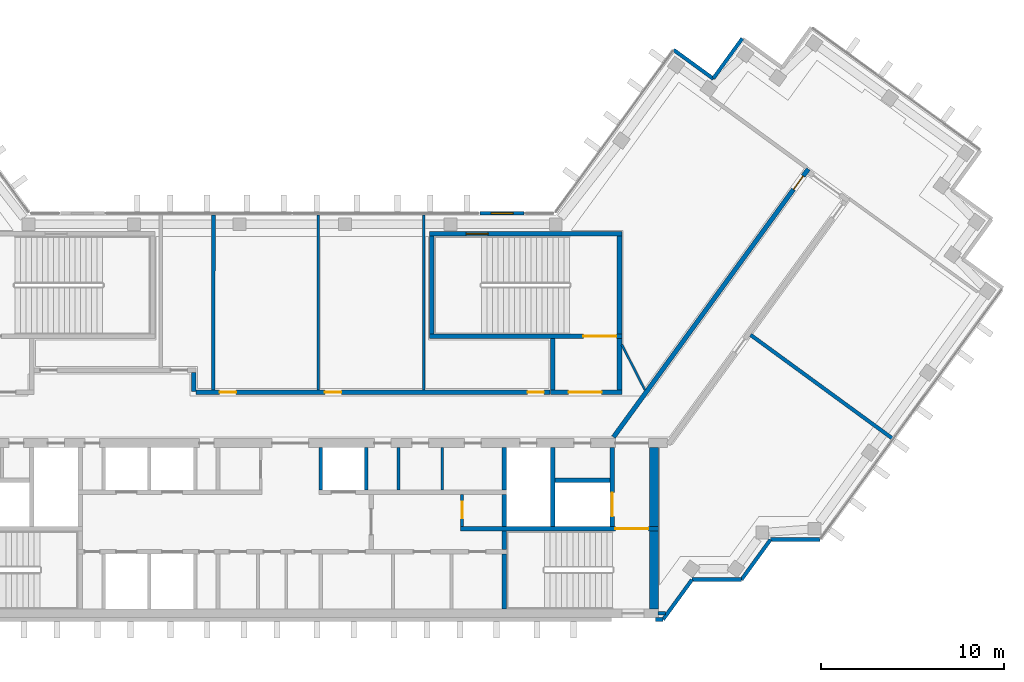
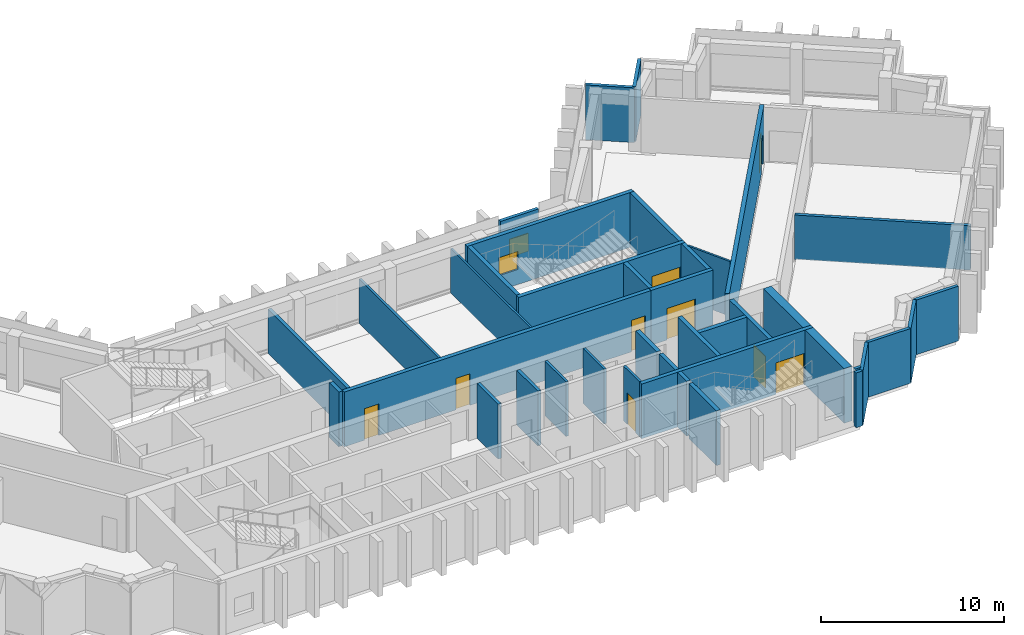
# One storey, part 6 of 9: 39 walls, 9 doors, 2 windows, 11 openings.
"""IFC4 building model written with IfcOpenShell, lengths in metres."""

from ifc_helpers import new_model, si_unit, direction, frame, frame_2d, origin, place, context, subcontext, project, spatial, rectangle, extrude, material, layer, layer_set, type_object, element, fill, save


model = new_model("IFC4")

# Units and contexts
model_context = context("Model", 3, precision=1e-05, world=origin(), true_north=direction((0.0, 1.0)))
body_context = subcontext(model_context, "Body", "Model", "MODEL_VIEW")
ifc_project = project(units=[si_unit("LENGTHUNIT", "METRE"), si_unit("AREAUNIT", "SQUARE_METRE"), si_unit("VOLUMEUNIT", "CUBIC_METRE"), si_unit("PLANEANGLEUNIT", "RADIAN"), si_unit("MASSUNIT", "GRAM", prefix="KILO")], contexts=[model_context])

# Site, building, storey
site_placement = place(None, origin())
site = spatial("IfcSite", under=ifc_project, at=site_placement, CompositionType="ELEMENT")
building_placement = place(site_placement, origin())
building = spatial("IfcBuilding", under=site, at=building_placement, Name="Quipu Civic Tower", CompositionType="ELEMENT")
storey_placement = place(building_placement, frame((0.0, 0.0, 331.0)))
storey = spatial("IfcBuildingStorey", under=building, at=storey_placement, Name="L77", CompositionType="ELEMENT", Elevation=331.0)

# Walls
ifc_material_1 = material(Name="Double gypsum plasterboard with mineral wool")
ifc_layer_1 = layer(ifc_material_1, 0.14990234375)
ifc_layer_set_1 = layer_set([ifc_layer_1], Name="Double gypsum plasterboard with mineral wool")
wall_type_1 = type_object("IfcWallType", Name="Acoustic partition 150 plasterboard", PredefinedType="PARTITIONING", material=ifc_layer_set_1)
wall_1_placement = place(storey_placement, frame((1.419921875, 1.449951171875, 0.0), z_axis=(0.0, 0.0, 1.0), x_axis=(0.0, 1.0, 0.0)))
element("IfcWall", 1, at=wall_1_placement, inside=storey, type_object=wall_type_1, Name="Partition P07", PredefinedType="PARTITIONING", context=body_context, shape_type="SweptSolid", body=[
    extrude(rectangle(XDim=9.550048828125, YDim=0.14990234375, at=frame_2d((4.77490234375, 0.0))), origin(), (0.0, 0.0, 1.0), 2.949951171875),
])
ifc_material_2 = material(Name="Fired clay blockwork", Category="masonry")
ifc_layer_2 = layer(ifc_material_2, 0.199951171875)
ifc_layer_set_2 = layer_set([ifc_layer_2], Name="Fired clay blockwork")
wall_type_2 = type_object("IfcWallType", Name="Blockwork wall 200", PredefinedType="SOLIDWALL", material=ifc_layer_set_2)
wall_2_placement = place(storey_placement, frame((25.03173828125, 4.459228515625, 0.0), z_axis=(0.0, 0.0, 1.0), x_axis=(0.807602415854, -0.589727342004, 0.0)))
element("IfcWall", 2, at=wall_2_placement, inside=storey, type_object=wall_type_2, Name="Partition P05", PredefinedType="SOLIDWALL", context=body_context, shape_type="SweptSolid", body=[
    extrude(rectangle(XDim=9.6513671875, YDim=0.199951171875, at=frame_2d((4.82568359375, 0.0))), origin(), (0.0, 0.0, 1.0), 2.949951171875),
])
wall_3_placement = place(storey_placement, frame((-4.29638671875, 11.0, 0.0), z_axis=(0.0, 0.0, 1.0), x_axis=(-0.002377476217, -0.999997173799, 0.0)))
element("IfcWall", 3, at=wall_3_placement, inside=storey, type_object=wall_type_2, Name="Partition P06", PredefinedType="SOLIDWALL", context=body_context, shape_type="SweptSolid", body=[
    extrude(rectangle(XDim=9.550048828125, YDim=0.199951171875, at=frame_2d((4.77490234375, 0.0))), origin(), (0.0, 0.0, 1.0), 2.949951171875),
])
ifc_material_3 = material(Name="Concrete C70/85", Category="concrete")
ifc_layer_3 = layer(ifc_material_3, 0.25)
ifc_layer_set_3 = layer_set([ifc_layer_3], Name="Concrete C70/85")
wall_type_3 = type_object("IfcWallType", Name="Core wall 250", PredefinedType="SHEAR", material=ifc_layer_set_3)
wall_4_placement = place(storey_placement, frame((11.574951171875, -10.5, 0.0), z_axis=(0.0, 0.0, 1.0), x_axis=(0.0, 1.0, 0.0)))
element("IfcWall", 4, at=wall_4_placement, inside=storey, type_object=wall_type_3, Name="Core wall", PredefinedType="SHEAR", context=body_context, shape_type="SweptSolid", body=[
    extrude(rectangle(XDim=3.0, YDim=0.25, at=frame_2d((1.5, 0.0))), origin(), (0.0, 0.0, 1.0), 3.64990234375),
])
wall_5_placement = place(storey_placement, frame((11.574951171875, -7.25, 0.0), z_axis=(0.0, 0.0, 1.0), x_axis=(0.0, 1.0, 0.0)))
element("IfcWall", 5, at=wall_5_placement, inside=storey, type_object=wall_type_3, Name="Core wall", PredefinedType="SHEAR", context=body_context, shape_type="SweptSolid", body=[
    extrude(rectangle(XDim=1.0, YDim=0.25, at=frame_2d((0.5, 0.0))), origin(), (0.0, 0.0, 1.0), 3.64990234375),
])

# Wall, opening, door
wall_6_placement = place(storey_placement, frame((20.0, -6.125, 0.0), z_axis=(0.0, 0.0, 1.0), x_axis=(-1.0, 0.0, 0.0)))
wall_6 = element("IfcWall", 6, at=wall_6_placement, inside=storey, type_object=wall_type_3, Name="Core wall", PredefinedType="SHEAR", context=body_context, shape_type="SweptSolid", body=[
    extrude(rectangle(XDim=10.800048828125, YDim=0.25, at=frame_2d((5.39990234375, 0.0))), origin(), (0.0, 0.0, 1.0), 3.64990234375),
])
opening_1_placement = place(wall_6_placement, frame((0.550048828125, 0.0, 0.0)))
opening_1 = element("IfcOpeningElement", 7, at=opening_1_placement, cuts=wall_6, Name="Opening CD-10", PredefinedType="OPENING", context=body_context, shape_type="SweptSolid", body=[
    extrude(rectangle(XDim=1.800048828125, YDim=2.10009765625, at=frame_2d((0.89990234375, 1.050048828125))), frame((0.0, 0.135009765625, 0.0), z_axis=(0.0, -1.0, 0.0), x_axis=(1.0, 0.0, 0.0)), (0.0, 0.0, 1.0), 0.27001953125),
])
ifc_material_4 = material(Name="Fire rated steel door", Category="steel")
door_type_1 = type_object("IfcDoorType", Name="Fire door FD90 double 1800 x 2100", OperationType="NOTDEFINED", PredefinedType="DOOR", material=ifc_material_4)
door_1_placement = place(opening_1_placement, origin())
door_1 = element("IfcDoor", 8, at=door_1_placement, inside=storey, type_object=door_type_1, Name="Door", OperationType="DOUBLE_DOOR_SINGLE_SWING", OverallHeight=2.10009765625, OverallWidth=1.800048828125, PredefinedType="DOOR", context=body_context, shape_type="SweptSolid", body=[
    extrude(rectangle(XDim=1.800048828125, YDim=2.10009765625, at=frame_2d((0.89990234375, 1.050048828125))), frame((0.0, 0.02490234375, 0.0), z_axis=(0.0, -1.0, 0.0), x_axis=(1.0, 0.0, 0.0)), (0.0, 0.0, 1.0), 0.050048828125),
])
fill(opening_1, door_1)

# Walls
wall_7_placement = place(storey_placement, frame((11.574951171875, -6.0, 0.0), z_axis=(0.0, 0.0, 1.0), x_axis=(0.0, 1.0, 0.0)))
element("IfcWall", 9, at=wall_7_placement, inside=storey, type_object=wall_type_3, Name="Core wall", PredefinedType="SHEAR", context=body_context, shape_type="SweptSolid", body=[
    extrude(rectangle(XDim=1.75, YDim=0.25, at=frame_2d((0.875, 0.0))), origin(), (0.0, 0.0, 1.0), 3.64990234375),
])
wall_8_placement = place(storey_placement, frame((14.22509765625, -6.0, 0.0), z_axis=(0.0, 0.0, 1.0), x_axis=(0.0, 1.0, 0.0)))
element("IfcWall", 10, at=wall_8_placement, inside=storey, type_object=wall_type_3, Name="Core wall", PredefinedType="SHEAR", context=body_context, shape_type="SweptSolid", body=[
    extrude(rectangle(XDim=4.300048828125, YDim=0.25, at=frame_2d((2.14990234375, 0.0))), origin(), (0.0, 0.0, 1.0), 3.64990234375),
])

# Wall, opening, door
wall_9_placement = place(storey_placement, frame((17.47509765625, -6.0, 0.0), z_axis=(0.0, 0.0, 1.0), x_axis=(0.0, 1.0, 0.0)))
wall_9 = element("IfcWall", 11, at=wall_9_placement, inside=storey, type_object=wall_type_3, Name="Core wall", PredefinedType="SHEAR", context=body_context, shape_type="SweptSolid", body=[
    extrude(rectangle(XDim=4.300048828125, YDim=0.25, at=frame_2d((2.14990234375, 0.0))), origin(), (0.0, 0.0, 1.0), 3.64990234375),
])
opening_2_placement = place(wall_9_placement, frame((0.550048828125, 0.0, 0.0)))
opening_2 = element("IfcOpeningElement", 12, at=opening_2_placement, cuts=wall_9, Name="Opening LD-FF2", PredefinedType="OPENING", context=body_context, shape_type="SweptSolid", body=[
    extrude(rectangle(XDim=1.300048828125, YDim=2.10009765625, at=frame_2d((0.64990234375, 1.050048828125))), frame((0.0, 0.135009765625, 0.0), z_axis=(0.0, -1.0, 0.0), x_axis=(1.0, 0.0, 0.0)), (0.0, 0.0, 1.0), 0.27001953125),
])
ifc_material_5 = material(Name="Stainless steel", Category="steel")
door_type_2 = type_object("IfcDoorType", Name="Lift landing door 1300 x 2100", OperationType="DOUBLE_DOOR_SLIDING", PredefinedType="DOOR", material=ifc_material_5)
door_2_placement = place(opening_2_placement, origin())
door_2 = element("IfcDoor", 13, at=door_2_placement, inside=storey, type_object=door_type_2, Name="Landing door FF2", OperationType="DOUBLE_DOOR_SLIDING", OverallHeight=2.10009765625, OverallWidth=1.300048828125, PredefinedType="DOOR", context=body_context, shape_type="SweptSolid", body=[
    extrude(rectangle(XDim=1.300048828125, YDim=2.10009765625, at=frame_2d((0.64990234375, 1.050048828125))), frame((0.0, 0.02490234375, 0.0), z_axis=(0.0, -1.0, 0.0), x_axis=(1.0, 0.0, 0.0)), (0.0, 0.0, 1.0), 0.050048828125),
])
fill(opening_2, door_2)

# Walls
wall_10_placement = place(storey_placement, frame((11.574951171875, -4.0, 0.0), z_axis=(0.0, 0.0, 1.0), x_axis=(0.0, 1.0, 0.0)))
element("IfcWall", 14, at=wall_10_placement, inside=storey, type_object=wall_type_3, Name="Core wall", PredefinedType="SHEAR", context=body_context, shape_type="SweptSolid", body=[
    extrude(rectangle(XDim=2.300048828125, YDim=0.25, at=frame_2d((1.14990234375, 0.0))), origin(), (0.0, 0.0, 1.0), 3.64990234375),
])
wall_11_placement = place(storey_placement, frame((14.35009765625, -3.47509765625, 0.0), z_axis=(0.0, 0.0, 1.0), x_axis=(1.0, 0.0, 0.0)))
element("IfcWall", 15, at=wall_11_placement, inside=storey, type_object=wall_type_3, Name="Core wall", PredefinedType="SHEAR", context=body_context, shape_type="SweptSolid", body=[
    extrude(rectangle(XDim=3.0, YDim=0.25, at=frame_2d((1.5, 0.0))), origin(), (0.0, 0.0, 1.0), 3.64990234375),
])

# Wall, opening, door
wall_12_placement = place(storey_placement, frame((14.10009765625, 1.324951171875, 0.0), z_axis=(0.0, 0.0, 1.0), x_axis=(1.0, 0.0, 0.0)))
wall_12 = element("IfcWall", 16, at=wall_12_placement, inside=storey, type_object=wall_type_3, Name="Core wall", PredefinedType="SHEAR", context=body_context, shape_type="SweptSolid", body=[
    extrude(rectangle(XDim=3.89990234375, YDim=0.25, at=frame_2d((1.949951171875, 0.0))), origin(), (0.0, 0.0, 1.0), 3.64990234375),
])
opening_3_placement = place(wall_12_placement, frame((1.0, 0.0, 0.0)))
opening_3 = element("IfcOpeningElement", 17, at=opening_3_placement, cuts=wall_12, Name="Opening CD-29", PredefinedType="OPENING", context=body_context, shape_type="SweptSolid", body=[
    extrude(rectangle(XDim=1.800048828125, YDim=2.10009765625, at=frame_2d((0.89990234375, 1.050048828125))), frame((0.0, 0.135009765625, 0.0), z_axis=(0.0, -1.0, 0.0), x_axis=(1.0, 0.0, 0.0)), (0.0, 0.0, 1.0), 0.27001953125),
])
door_3_placement = place(opening_3_placement, origin())
door_3 = element("IfcDoor", 18, at=door_3_placement, inside=storey, type_object=door_type_1, Name="Lobby door", OperationType="DOUBLE_DOOR_SINGLE_SWING", OverallHeight=2.10009765625, OverallWidth=1.800048828125, PredefinedType="DOOR", context=body_context, shape_type="SweptSolid", body=[
    extrude(rectangle(XDim=1.800048828125, YDim=2.10009765625, at=frame_2d((0.89990234375, 1.050048828125))), frame((0.0, 0.02490234375, 0.0), z_axis=(0.0, -1.0, 0.0), x_axis=(1.0, 0.0, 0.0)), (0.0, 0.0, 1.0), 0.050048828125),
])
fill(opening_3, door_3)

# Walls
for number, where, z_axis, x_axis, name in (
    (19, (14.22509765625, 1.449951171875, 0.0), (0.0, 0.0, 1.0), (0.0, 1.0, 0.0), "Core wall"),
    (20, (17.875, 1.449951171875, 0.0), (0.0, 0.0, 1.0), (0.0, 1.0, 0.0), "Core wall"),
):
    element("IfcWall", number, at=place(storey_placement, frame(where, z_axis=z_axis, x_axis=x_axis)), inside=storey, type_object=wall_type_3, Name=name, PredefinedType="SHEAR", context=body_context, shape_type="SweptSolid", body=[
        extrude(rectangle(XDim=2.800048828125, YDim=0.25, at=frame_2d((1.39990234375, 0.0))), origin(), (0.0, 0.0, 1.0), 3.64990234375),
    ])

# Wall, opening, door
wall_13_placement = place(storey_placement, frame((7.5, 4.375, 0.0), z_axis=(0.0, 0.0, 1.0), x_axis=(1.0, 0.0, 0.0)))
wall_13 = element("IfcWall", 21, at=wall_13_placement, inside=storey, type_object=wall_type_3, Name="Core wall", PredefinedType="SHEAR", context=body_context, shape_type="SweptSolid", body=[
    extrude(rectangle(XDim=10.5, YDim=0.25, at=frame_2d((5.25, 0.0))), origin(), (0.0, 0.0, 1.0), 3.64990234375),
])
opening_4_placement = place(wall_13_placement, frame((8.39990234375, 0.0, 0.0)))
opening_4 = element("IfcOpeningElement", 22, at=opening_4_placement, cuts=wall_13, Name="Opening CD-30", PredefinedType="OPENING", context=body_context, shape_type="SweptSolid", body=[
    extrude(rectangle(XDim=1.800048828125, YDim=2.10009765625, at=frame_2d((0.89990234375, 1.050048828125))), frame((0.0, 0.135009765625, 0.0), z_axis=(0.0, -1.0, 0.0), x_axis=(1.0, 0.0, 0.0)), (0.0, 0.0, 1.0), 0.27001953125),
])
door_4_placement = place(opening_4_placement, origin())
door_4 = element("IfcDoor", 23, at=door_4_placement, inside=storey, type_object=door_type_1, Name="Door", OperationType="DOUBLE_DOOR_SINGLE_SWING", OverallHeight=2.10009765625, OverallWidth=1.800048828125, PredefinedType="DOOR", context=body_context, shape_type="SweptSolid", body=[
    extrude(rectangle(XDim=1.800048828125, YDim=2.10009765625, at=frame_2d((0.89990234375, 1.050048828125))), frame((0.0, 0.02490234375, 0.0), z_axis=(0.0, -1.0, 0.0), x_axis=(1.0, 0.0, 0.0)), (0.0, 0.0, 1.0), 0.050048828125),
])
fill(opening_4, door_4)

# Walls
for number, where, z_axis, x_axis, name in (
    (24, (7.625, 4.5, 0.0), (0.0, 0.0, 1.0), (0.0, 1.0, 0.0), "Core wall"),
    (25, (17.875, 4.5, 0.0), (0.0, 0.0, 1.0), (0.0, 1.0, 0.0), "Core wall"),
):
    element("IfcWall", number, at=place(storey_placement, frame(where, z_axis=z_axis, x_axis=x_axis)), inside=storey, type_object=wall_type_3, Name=name, PredefinedType="SHEAR", context=body_context, shape_type="SweptSolid", body=[
        extrude(rectangle(XDim=5.35009765625, YDim=0.25, at=frame_2d((2.675048828125, 0.0))), origin(), (0.0, 0.0, 1.0), 3.64990234375),
    ])

# Wall, opening, window
wall_14_placement = place(storey_placement, frame((7.5, 9.97509765625, 0.0), z_axis=(0.0, 0.0, 1.0), x_axis=(1.0, 0.0, 0.0)))
wall_14 = element("IfcWall", 26, at=wall_14_placement, inside=storey, type_object=wall_type_3, Name="Core wall", PredefinedType="SHEAR", context=body_context, shape_type="SweptSolid", body=[
    extrude(rectangle(XDim=10.5, YDim=0.25, at=frame_2d((5.25, 0.0))), origin(), (0.0, 0.0, 1.0), 3.64990234375),
])
opening_5_placement = place(wall_14_placement, frame((2.0, 0.0, 1.0)))
opening_5 = element("IfcOpeningElement", 27, at=opening_5_placement, cuts=wall_14, Name="Opening SV-4", PredefinedType="OPENING", context=body_context, shape_type="SweptSolid", body=[
    extrude(rectangle(XDim=1.199951171875, YDim=1.199951171875, at=frame_2d((0.60009765625, 0.60009765625))), frame((0.0, 0.135009765625, 0.0), z_axis=(0.0, -1.0, 0.0), x_axis=(1.0, 0.0, 0.0)), (0.0, 0.0, 1.0), 0.27001953125),
])
ifc_material_6 = material(Name="Aluminium louvre", Category="aluminium")
window_type_1 = type_object("IfcWindowType", Name="Stair ventilation louvre 1200 x 1200", PartitioningType="SINGLE_PANEL", PredefinedType="WINDOW", material=ifc_material_6)
window_1_placement = place(opening_5_placement, origin())
window_1 = element("IfcWindow", 28, at=window_1_placement, inside=storey, type_object=window_type_1, Name="Stair ventilation opening", OverallHeight=1.199951171875, OverallWidth=1.199951171875, PartitioningType="SINGLE_PANEL", PredefinedType="WINDOW", context=body_context, shape_type="SweptSolid", body=[
    extrude(rectangle(XDim=1.199951171875, YDim=1.199951171875, at=frame_2d((0.60009765625, 0.60009765625))), frame((0.0, 0.030029296875, 0.0), z_axis=(0.0, -1.0, 0.0), x_axis=(1.0, 0.0, 0.0)), (0.0, 0.0, 1.0), 0.06005859375),
])
fill(opening_5, window_1)

# Walls
ifc_material_7 = material(Name="Concrete C70/85", Category="concrete")
ifc_layer_4 = layer(ifc_material_7, 0.5)
ifc_layer_set_4 = layer_set([ifc_layer_4], Name="Concrete C70/85")
wall_type_4 = type_object("IfcWallType", Name="Core wall 500", PredefinedType="SHEAR", material=ifc_layer_set_4)
wall_15_placement = place(storey_placement, frame((19.75, -10.5, 0.0), z_axis=(0.0, 0.0, 1.0), x_axis=(0.0, 1.0, 0.0)))
element("IfcWall", 29, at=wall_15_placement, inside=storey, type_object=wall_type_4, Name="Core wall", PredefinedType="SHEAR", context=body_context, shape_type="SweptSolid", body=[
    extrude(rectangle(XDim=4.25, YDim=0.5, at=frame_2d((2.125, 0.0))), origin(), (0.0, 0.0, 1.0), 3.64990234375),
])
wall_16_placement = place(storey_placement, frame((19.75, -6.0, 0.0), z_axis=(0.0, 0.0, 1.0), x_axis=(0.0, 1.0, 0.0)))
element("IfcWall", 30, at=wall_16_placement, inside=storey, type_object=wall_type_4, Name="Core wall", PredefinedType="SHEAR", context=body_context, shape_type="SweptSolid", body=[
    extrude(rectangle(XDim=4.300048828125, YDim=0.5, at=frame_2d((2.14990234375, 0.0))), origin(), (0.0, 0.0, 1.0), 3.64990234375),
])

# Wall, opening, door
ifc_material_8 = material(Name="Concrete C50/60", Category="concrete")
ifc_layer_5 = layer(ifc_material_8, 0.25)
ifc_layer_set_5 = layer_set([ifc_layer_5], Name="Concrete C50/60")
wall_type_5 = type_object("IfcWallType", Name="Corridor wall 250 concrete", PredefinedType="SOLIDWALL", material=ifc_layer_set_5)
wall_17_placement = place(storey_placement, frame((17.544921875, -1.124755859375, 0.0), z_axis=(0.0, 0.0, 1.0), x_axis=(0.58779555165, 0.809009511354, 0.0)))
wall_17 = element("IfcWall", 31, at=wall_17_placement, inside=storey, type_object=wall_type_5, Name="Corridor wall C01", PredefinedType="SOLIDWALL", context=body_context, shape_type="SweptSolid", body=[
    extrude(rectangle(XDim=18.10302734375, YDim=0.25, at=frame_2d((9.051513671875, 0.0))), origin(), (0.0, 0.0, 1.0), 3.64990234375),
])
opening_6_placement = place(wall_17_placement, frame((16.72802734375, 0.0, 0.0)))
opening_6 = element("IfcOpeningElement", 32, at=opening_6_placement, cuts=wall_17, Name="Opening D001", PredefinedType="OPENING", context=body_context, shape_type="SweptSolid", body=[
    extrude(rectangle(XDim=0.89990234375, YDim=2.10009765625, at=frame_2d((0.449951171875, 1.050048828125))), frame((0.0, 0.135009765625, 0.0), z_axis=(0.0, -1.0, 0.0), x_axis=(1.0, 0.0, 0.0)), (0.0, 0.0, 1.0), 0.27001953125),
])
ifc_material_9 = material(Name="Fire rated timber door set with metal frame", Category="wood")
door_type_3 = type_object("IfcDoorType", Name="Single door 900 x 2100 FD60", OperationType="NOTDEFINED", PredefinedType="DOOR", material=ifc_material_9)
door_5_placement = place(opening_6_placement, origin())
door_5 = element("IfcDoor", 33, at=door_5_placement, inside=storey, type_object=door_type_3, Name="Door D001", OperationType="SINGLE_SWING_RIGHT", OverallHeight=2.10009765625, OverallWidth=0.89990234375, PredefinedType="DOOR", context=body_context, shape_type="SweptSolid", body=[
    extrude(rectangle(XDim=0.89990234375, YDim=2.10009765625, at=frame_2d((0.449951171875, 1.050048828125))), frame((0.0, 0.02490234375, 0.0), z_axis=(0.0, -1.0, 0.0), x_axis=(1.0, 0.0, 0.0)), (0.0, 0.0, 1.0), 0.050048828125),
])
fill(opening_6, door_5)

# Wall
wall_18_placement = place(storey_placement, frame((-5.375, 2.39990234375, 0.0), z_axis=(0.0, 0.0, 1.0), x_axis=(0.0, -1.0, 0.0)))
element("IfcWall", 34, at=wall_18_placement, inside=storey, type_object=wall_type_5, Name="Corridor wall C08", PredefinedType="SOLIDWALL", context=body_context, shape_type="SweptSolid", body=[
    extrude(rectangle(XDim=1.041259765625, YDim=0.25, at=frame_2d((0.5205078125, 0.0))), origin(), (0.0, 0.0, 1.0), 3.64990234375),
])

# Wall, openings, doors
wall_19_placement = place(storey_placement, frame((-5.246337890625, 1.324951171875, 0.0), z_axis=(0.0, 0.0, 1.0), x_axis=(1.0, 0.0, 0.0)))
wall_19 = element("IfcWall", 35, at=wall_19_placement, inside=storey, type_object=wall_type_5, Name="Corridor wall C09", PredefinedType="SOLIDWALL", context=body_context, shape_type="SweptSolid", body=[
    extrude(rectangle(XDim=19.33642578125, YDim=0.25, at=frame_2d((9.668212890625, 0.0))), origin(), (0.0, 0.0, 1.0), 3.64990234375),
])
opening_7_placement = place(wall_19_placement, frame((1.27734375, 0.0, 0.0)))
opening_7 = element("IfcOpeningElement", 36, at=opening_7_placement, cuts=wall_19, Name="Opening D007", PredefinedType="OPENING", context=body_context, shape_type="SweptSolid", body=[
    extrude(rectangle(XDim=0.89990234375, YDim=2.10009765625, at=frame_2d((0.449951171875, 1.050048828125))), frame((0.0, 0.135009765625, 0.0), z_axis=(0.0, -1.0, 0.0), x_axis=(1.0, 0.0, 0.0)), (0.0, 0.0, 1.0), 0.27001953125),
])
opening_8_placement = place(wall_19_placement, frame((7.036376953125, 0.0, 0.0)))
opening_8 = element("IfcOpeningElement", 37, at=opening_8_placement, cuts=wall_19, Name="Opening D008", PredefinedType="OPENING", context=body_context, shape_type="SweptSolid", body=[
    extrude(rectangle(XDim=0.89990234375, YDim=2.10009765625, at=frame_2d((0.449951171875, 1.050048828125))), frame((0.0, 0.135009765625, 0.0), z_axis=(0.0, -1.0, 0.0), x_axis=(1.0, 0.0, 0.0)), (0.0, 0.0, 1.0), 0.27001953125),
])
opening_9_placement = place(wall_19_placement, frame((18.09619140625, 0.0, 0.0)))
opening_9 = element("IfcOpeningElement", 38, at=opening_9_placement, cuts=wall_19, Name="Opening D009", PredefinedType="OPENING", context=body_context, shape_type="SweptSolid", body=[
    extrude(rectangle(XDim=0.89990234375, YDim=2.10009765625, at=frame_2d((0.449951171875, 1.050048828125))), frame((0.0, 0.135009765625, 0.0), z_axis=(0.0, -1.0, 0.0), x_axis=(1.0, 0.0, 0.0)), (0.0, 0.0, 1.0), 0.27001953125),
])
door_6_placement = place(opening_7_placement, origin())
door_6 = element("IfcDoor", 39, at=door_6_placement, inside=storey, type_object=door_type_3, Name="Door D007", OperationType="SINGLE_SWING_LEFT", OverallHeight=2.10009765625, OverallWidth=0.89990234375, PredefinedType="DOOR", context=body_context, shape_type="SweptSolid", body=[
    extrude(rectangle(XDim=0.89990234375, YDim=2.10009765625, at=frame_2d((0.449951171875, 1.050048828125))), frame((0.0, 0.02490234375, 0.0), z_axis=(0.0, -1.0, 0.0), x_axis=(1.0, 0.0, 0.0)), (0.0, 0.0, 1.0), 0.050048828125),
])
fill(opening_7, door_6)
door_7_placement = place(opening_8_placement, origin())
door_7 = element("IfcDoor", 40, at=door_7_placement, inside=storey, type_object=door_type_3, Name="Door D008", OperationType="SINGLE_SWING_LEFT", OverallHeight=2.10009765625, OverallWidth=0.89990234375, PredefinedType="DOOR", context=body_context, shape_type="SweptSolid", body=[
    extrude(rectangle(XDim=0.89990234375, YDim=2.10009765625, at=frame_2d((0.449951171875, 1.050048828125))), frame((0.0, 0.02490234375, 0.0), z_axis=(0.0, -1.0, 0.0), x_axis=(1.0, 0.0, 0.0)), (0.0, 0.0, 1.0), 0.050048828125),
])
fill(opening_8, door_7)
door_8_placement = place(opening_9_placement, origin())
door_8 = element("IfcDoor", 41, at=door_8_placement, inside=storey, type_object=door_type_3, Name="Door D009", OperationType="SINGLE_SWING_RIGHT", OverallHeight=2.10009765625, OverallWidth=0.89990234375, PredefinedType="DOOR", context=body_context, shape_type="SweptSolid", body=[
    extrude(rectangle(XDim=0.89990234375, YDim=2.10009765625, at=frame_2d((0.449951171875, 1.050048828125))), frame((0.0, 0.02490234375, 0.0), z_axis=(0.0, -1.0, 0.0), x_axis=(1.0, 0.0, 0.0)), (0.0, 0.0, 1.0), 0.050048828125),
])
fill(opening_9, door_8)

# Walls
ifc_material_10 = material(Name="Gypsum plasterboard on light gauge framing")
ifc_layer_6 = layer(ifc_material_10, 0.1201171875)
ifc_layer_set_6 = layer_set([ifc_layer_6], Name="Gypsum plasterboard on light gauge framing")
wall_type_6 = type_object("IfcWallType", Name="Partition 120 plasterboard", PredefinedType="PARTITIONING", material=ifc_layer_set_6)
wall_20_placement = place(storey_placement, frame((7.177978515625, 1.449951171875, 0.0), z_axis=(0.0, 0.0, 1.0), x_axis=(0.0, 1.0, 0.0)))
element("IfcWall", 42, at=wall_20_placement, inside=storey, type_object=wall_type_6, Name="Partition P10", PredefinedType="PARTITIONING", context=body_context, shape_type="SweptSolid", body=[
    extrude(rectangle(XDim=9.550048828125, YDim=0.1201171875, at=frame_2d((4.77490234375, 0.0))), origin(), (0.0, 0.0, 1.0), 2.949951171875),
])
wall_21_placement = place(storey_placement, frame((18.0, 3.925048828125, 0.0), z_axis=(0.0, 0.0, 1.0), x_axis=(0.453950796792, -0.891026752736, 0.0)))
element("IfcWall", 43, at=wall_21_placement, inside=storey, type_object=wall_type_6, Name="Partition P11", PredefinedType="PARTITIONING", context=body_context, shape_type="SweptSolid", body=[
    extrude(rectangle(XDim=2.77783203125, YDim=0.1201171875, at=frame_2d((1.388916015625, 0.0))), origin(), (0.0, 0.0, 1.0), 3.64990234375),
])

# Wall, opening, door
ifc_material_11 = material(Name="Gypsum board partition")
ifc_layer_7 = layer(ifc_material_11, 0.14990234375)
ifc_layer_set_7 = layer_set([ifc_layer_7], Name="Gypsum board partition")
wall_type_7 = type_object("IfcWallType", Name="Partition 150", PredefinedType="PARTITIONING", material=ifc_layer_set_7)
wall_22_placement = place(storey_placement, frame((9.27490234375, -6.0, 0.0), z_axis=(0.0, 0.0, 1.0), x_axis=(0.0, 1.0, 0.0)))
wall_22 = element("IfcWall", 44, at=wall_22_placement, inside=storey, type_object=wall_type_7, Name="Partition", PredefinedType="PARTITIONING", context=body_context, shape_type="SweptSolid", body=[
    extrude(rectangle(XDim=1.75, YDim=0.14990234375, at=frame_2d((0.875, 0.0))), origin(), (0.0, 0.0, 1.0), 3.64990234375),
])
opening_10_placement = place(wall_22_placement, frame((0.449951171875, 0.0, 0.0)))
opening_10 = element("IfcOpeningElement", 45, at=opening_10_placement, cuts=wall_22, Name="Opening CD-12", PredefinedType="OPENING", context=body_context, shape_type="SweptSolid", body=[
    extrude(rectangle(XDim=0.89990234375, YDim=2.10009765625, at=frame_2d((0.449951171875, 1.050048828125))), frame((0.0, 0.0849609375, 0.0), z_axis=(0.0, -1.0, 0.0), x_axis=(1.0, 0.0, 0.0)), (0.0, 0.0, 1.0), 0.169921875),
])
ifc_material_12 = material(Name="Fire rated steel door", Category="steel")
door_type_4 = type_object("IfcDoorType", Name="Fire door FD60 900 x 2100", OperationType="NOTDEFINED", PredefinedType="DOOR", material=ifc_material_12)
door_9_placement = place(opening_10_placement, origin())
door_9 = element("IfcDoor", 46, at=door_9_placement, inside=storey, type_object=door_type_4, Name="Door", OperationType="SINGLE_SWING_RIGHT", OverallHeight=2.10009765625, OverallWidth=0.89990234375, PredefinedType="DOOR", context=body_context, shape_type="SweptSolid", body=[
    extrude(rectangle(XDim=0.89990234375, YDim=2.10009765625, at=frame_2d((0.449951171875, 1.050048828125))), frame((0.0, 0.02490234375, 0.0), z_axis=(0.0, -1.0, 0.0), x_axis=(1.0, 0.0, 0.0)), (0.0, 0.0, 1.0), 0.050048828125),
])
fill(opening_10, door_9)

# Walls
for number, where, z_axis, x_axis, name in (
    (47, (5.800048828125, -4.0, 0.0), (0.0, 0.0, 1.0), (0.0, 1.0, 0.0), "Partition"),
    (48, (8.199951171875, -4.0, 0.0), (0.0, 0.0, 1.0), (0.0, 1.0, 0.0), "Partition"),
):
    element("IfcWall", number, at=place(storey_placement, frame(where, z_axis=z_axis, x_axis=x_axis)), inside=storey, type_object=wall_type_7, Name=name, PredefinedType="PARTITIONING", context=body_context, shape_type="SweptSolid", body=[
        extrude(rectangle(XDim=2.300048828125, YDim=0.14990234375, at=frame_2d((1.14990234375, 0.0))), origin(), (0.0, 0.0, 1.0), 3.64990234375),
    ])
ifc_material_13 = material(Name="Precast concrete C40/50", Category="concrete")
wall_type_8 = type_object("IfcWallType", Name="Precast cladding wall", PredefinedType="SOLIDWALL", material=ifc_material_13)
wall_23_placement = place(storey_placement, frame((21.8427734375, -8.90380859375, 0.0), z_axis=(0.0, 0.0, 1.0), x_axis=(1.0, 0.0, 0.0)))
element("IfcWall", 49, at=wall_23_placement, inside=storey, type_object=wall_type_8, Name="Precast cladding wall L77 P01", PredefinedType="SOLIDWALL", context=body_context, shape_type="SweptSolid", body=[
    extrude(rectangle(XDim=2.699951171875, YDim=0.199951171875, at=frame_2d((1.35009765625, 0.0))), origin(), (0.0, 0.0, 1.0), 3.64990234375),
])
wall_24_placement = place(storey_placement, frame((24.533203125, -8.90869140625, 0.0), z_axis=(0.0, 0.0, 1.0), x_axis=(0.587720002413, 0.809064397168, 0.0)))
element("IfcWall", 50, at=wall_24_placement, inside=storey, type_object=wall_type_8, Name="Precast cladding wall L77 P02", PredefinedType="SOLIDWALL", context=body_context, shape_type="SweptSolid", body=[
    extrude(rectangle(XDim=2.7001953125, YDim=0.199951171875, at=frame_2d((1.35009765625, 0.0))), origin(), (0.0, 0.0, 1.0), 3.64990234375),
])
wall_25_placement = place(storey_placement, frame((26.1298828125, -6.71923828125, 0.0), z_axis=(0.0, 0.0, 1.0), x_axis=(1.0, 0.0, 0.0)))
element("IfcWall", 51, at=wall_25_placement, inside=storey, type_object=wall_type_8, Name="Precast cladding wall L77 P03", PredefinedType="SOLIDWALL", context=body_context, shape_type="SweptSolid", body=[
    extrude(rectangle(XDim=2.699951171875, YDim=0.199951171875, at=frame_2d((1.35009765625, 0.0))), origin(), (0.0, 0.0, 1.0), 3.64990234375),
])
wall_26_placement = place(storey_placement, frame((19.85009765625, -11.087890625, 0.0), z_axis=(0.0, 0.0, 1.0), x_axis=(1.0, 0.0, 0.0)))
element("IfcWall", 52, at=wall_26_placement, inside=storey, type_object=wall_type_8, Name="Precast cladding wall L77 18", PredefinedType="SOLIDWALL", context=body_context, shape_type="SweptSolid", body=[
    extrude(rectangle(XDim=0.40576171875, YDim=0.199951171875, at=frame_2d((0.202880859375, 0.0))), origin(), (0.0, 0.0, 1.0), 3.64990234375),
])
wall_27_placement = place(storey_placement, frame((20.253173828125, -11.083251953125, 0.0), z_axis=(0.0, 0.0, 1.0), x_axis=(0.587766567315, 0.809030569476, 0.0)))
element("IfcWall", 53, at=wall_27_placement, inside=storey, type_object=wall_type_8, Name="Precast cladding wall L77 19", PredefinedType="SOLIDWALL", context=body_context, shape_type="SweptSolid", body=[
    extrude(rectangle(XDim=2.687744140625, YDim=0.199951171875, at=frame_2d((1.34375, 0.0))), origin(), (0.0, 0.0, 1.0), 3.64990234375),
])
for number, where, z_axis, x_axis, name in (
    (54, (24.583251953125, 20.64990234375, 0.0), (0.0, 0.0, 1.0), (-0.587762999008, -0.809033161865, 0.0), "Precast cladding wall L77 24"),
    (55, (23.01318359375, 18.438232421875, 0.0), (0.0, 0.0, 1.0), (-0.808990163075, 0.587822180636, 0.0), "Precast cladding wall L77 25"),
):
    element("IfcWall", number, at=place(storey_placement, frame(where, z_axis=z_axis, x_axis=x_axis)), inside=storey, type_object=wall_type_8, Name=name, PredefinedType="SOLIDWALL", context=body_context, shape_type="SweptSolid", body=[
        extrude(rectangle(XDim=2.699951171875, YDim=0.199951171875, at=frame_2d((1.35009765625, 0.0))), origin(), (0.0, 0.0, 1.0), 3.64990234375),
    ])

# Wall, opening, window
wall_28_placement = place(storey_placement, frame((12.655029296875, 11.10009765625, 0.0), z_axis=(0.0, 0.0, 1.0), x_axis=(-1.0, 0.0, 0.0)))
wall_28 = element("IfcWall", 56, at=wall_28_placement, inside=storey, type_object=wall_type_8, Name="Vent surround SF-L77-2", PredefinedType="SOLIDWALL", context=body_context, shape_type="SweptSolid", body=[
    extrude(rectangle(XDim=2.3916015625, YDim=0.199951171875, at=frame_2d((1.19580078125, 0.0))), origin(), (0.0, 0.0, 1.0), 3.64990234375),
])
opening_11_placement = place(wall_28_placement, frame((0.595703125, 0.0, 1.0)))
opening_11 = element("IfcOpeningElement", 57, at=opening_11_placement, cuts=wall_28, Name="Opening SF-L77-2", PredefinedType="OPENING", context=body_context, shape_type="SweptSolid", body=[
    extrude(rectangle(XDim=1.199951171875, YDim=1.199951171875, at=frame_2d((0.60009765625, 0.60009765625))), frame((0.0, 0.10986328125, 0.0), z_axis=(0.0, -1.0, 0.0), x_axis=(1.0, 0.0, 0.0)), (0.0, 0.0, 1.0), 0.219970703125),
])
ifc_material_14 = material(Name="Anodised aluminium louvre", Category="aluminium")
window_type_2 = type_object("IfcWindowType", Name="Stair vent louvre window P3", PartitioningType="SINGLE_PANEL", PredefinedType="WINDOW", material=ifc_material_14)
window_2_placement = place(opening_11_placement, origin())
window_2 = element("IfcWindow", 58, at=window_2_placement, inside=storey, type_object=window_type_2, Name="Stair vent louvre SF-L77-2", OverallHeight=1.199951171875, OverallWidth=1.199951171875, PartitioningType="SINGLE_PANEL", PredefinedType="WINDOW", context=body_context, shape_type="SweptSolid", body=[
    extrude(rectangle(XDim=1.199951171875, YDim=1.199951171875, at=frame_2d((0.60009765625, 0.60009765625))), frame((0.0, 0.030029296875, 0.0), z_axis=(0.0, -1.0, 0.0), x_axis=(1.0, 0.0, 0.0)), (0.0, 0.0, 1.0), 0.06005859375),
])
fill(opening_11, window_2)

# Walls
wall_29_placement = place(storey_placement, frame((19.97998046875, -10.75, 0.0), z_axis=(0.0, 0.0, 1.0), x_axis=(1.0, 0.0, 0.0)))
element("IfcWall", 59, at=wall_29_placement, inside=storey, type_object=wall_type_8, Name="Precast cladding return L77 E", PredefinedType="SOLIDWALL", context=body_context, shape_type="SweptSolid", body=[
    extrude(rectangle(XDim=0.41650390625, YDim=0.199951171875, at=frame_2d((0.208251953125, 0.0))), origin(), (0.0, 0.0, 1.0), 3.64990234375),
])
ifc_material_15 = material(Name="Concrete C40/50", Category="concrete")
ifc_layer_8 = layer(ifc_material_15, 0.199951171875)
ifc_layer_set_8 = layer_set([ifc_layer_8], Name="Concrete C40/50")
wall_type_9 = type_object("IfcWallType", Name="Shaft wall 200", PredefinedType="SOLIDWALL", material=ifc_layer_set_8)
for number, where, z_axis, x_axis, name in (
    (60, (1.550048828125, -4.0, 0.0), (0.0, 0.0, 1.0), (0.0, 1.0, 0.0), "Shaft wall"),
    (61, (4.050048828125, -4.0, 0.0), (0.0, 0.0, 1.0), (0.0, 1.0, 0.0), "Shaft wall"),
):
    element("IfcWall", number, at=place(storey_placement, frame(where, z_axis=z_axis, x_axis=x_axis)), inside=storey, type_object=wall_type_9, Name=name, PredefinedType="SOLIDWALL", context=body_context, shape_type="SweptSolid", body=[
        extrude(rectangle(XDim=2.300048828125, YDim=0.199951171875, at=frame_2d((1.14990234375, 0.0))), origin(), (0.0, 0.0, 1.0), 3.64990234375),
    ])

save(model, "model.ifc")
